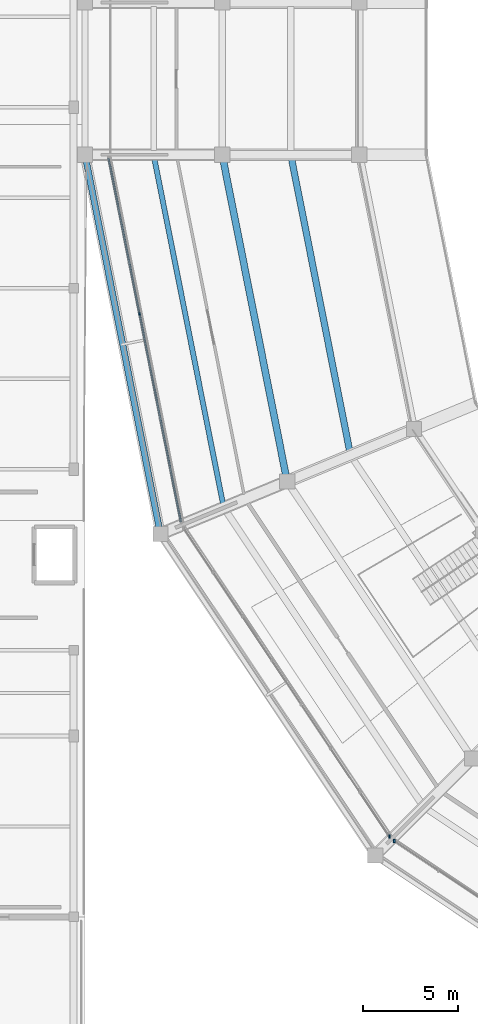
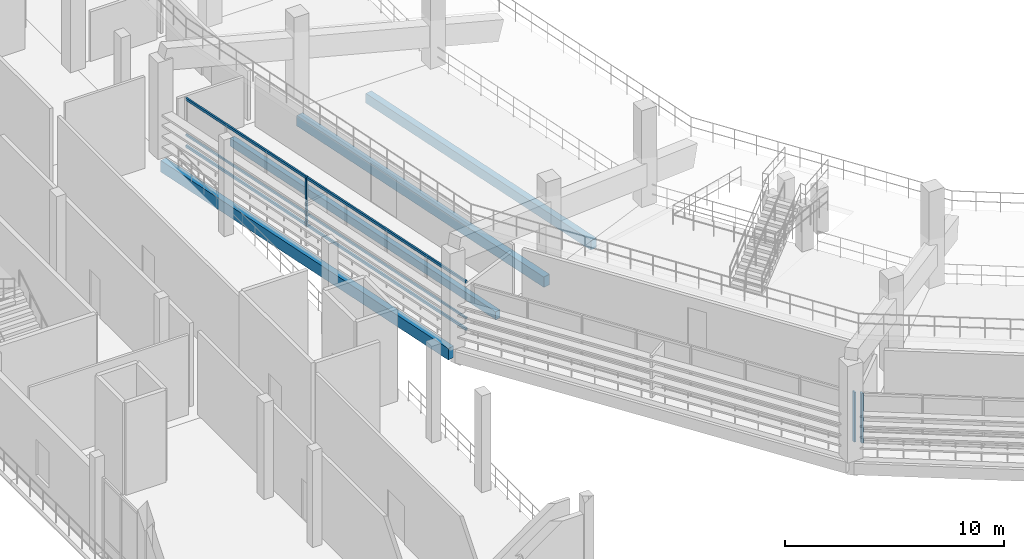
# One storey, part 10 of 96: 6 members, 4 beams, 3 elements without a shape of their own.
"""IFC4 building model written with IfcOpenShell, lengths in metres."""

import ifcopenshell
import ifcopenshell.guid

model = None  # the IFC model being written
_history = None  # IfcOwnerHistory: only IFC2X3 demands one
_inside = {}  # id of a spatial element -> (the spatial element, [elements in it])
_under = {}  # id of a project, library or spatial element -> (it, [spatial elements below it])
_declared = {}  # id of a project -> (the project, [libraries it declares])
_typed = {}  # id of a type object -> (the type object, [elements of that type])
_made_of = {}  # id of a material, layer set ... -> (it, [elements and type objects made of it])


def new_model(schema):
    """Start an empty IFC model of exactly this schema.

    Asked for "IFC4X3", IfcOpenShell would pick the latest addendum, in which some entities
    have other attributes; the version numbers below select the first issue.
    IFC2X3 requires an IfcOwnerHistory on every rooted entity: one is made here for all.
    """
    global model, _history
    if schema == "IFC4X3":
        model = ifcopenshell.file(schema_version=(4, 3, 0, 0))
    else:
        model = ifcopenshell.file(schema=schema)
    _inside.clear()
    _under.clear()
    _declared.clear()
    _typed.clear()
    _made_of.clear()
    _history = None
    if model.schema == "IFC2X3":
        org = make("IfcOrganization", Name="unknown")
        user = make(
            "IfcPersonAndOrganization",
            ThePerson=make("IfcPerson", FamilyName="unknown"),
            TheOrganization=org,
        )
        app = make(
            "IfcApplication",
            ApplicationDeveloper=org,
            Version="unknown",
            ApplicationFullName="unknown",
            ApplicationIdentifier="unknown",
        )
        _history = make(
            "IfcOwnerHistory",
            OwningUser=user,
            OwningApplication=app,
            ChangeAction="ADDED",
            CreationDate=0,
        )
    return model


def make(cls, **values):
    """One entity of the class cls with the attributes given. An attribute that is None is left unset."""
    return model.create_entity(
        cls, **{name: value for name, value in values.items() if value is not None}
    )


def rooted(cls, **values):
    """An entity with a GlobalId (a new one), such as an element, a storey or a relation."""
    return make(cls, GlobalId=ifcopenshell.guid.new(), OwnerHistory=_history, **values)


def si_unit(unit_type, name, prefix=None):
    """IfcSIUnit, for example si_unit("LENGTHUNIT", "METRE", prefix="MILLI")."""
    return make("IfcSIUnit", UnitType=unit_type, Prefix=prefix, Name=name)


def assignment(units):
    """IfcUnitAssignment: the units of a project."""
    return None if units is None else make("IfcUnitAssignment", Units=units)


def point(xyz):
    """IfcCartesianPoint."""
    return None if xyz is None else make("IfcCartesianPoint", Coordinates=xyz)


def direction(xyz):
    """IfcDirection."""
    return None if xyz is None else make("IfcDirection", DirectionRatios=xyz)


def frame(location, z_axis=None, x_axis=None):
    """IfcAxis2Placement3D, a coordinate frame: its origin and axes. An axis left out is left unset."""
    return make(
        "IfcAxis2Placement3D",
        Location=point(location),
        Axis=direction(z_axis),
        RefDirection=direction(x_axis),
    )


def frame_2d(location, x_axis=None):
    """IfcAxis2Placement2D, a coordinate frame in the plane: its origin and x axis."""
    return make(
        "IfcAxis2Placement2D", Location=point(location), RefDirection=direction(x_axis)
    )


def origin():
    """The frame at (0, 0, 0) with its axes left unset."""
    return frame((0.0, 0.0, 0.0))


def origin_2d():
    """The frame at (0, 0) in the plane with its x axis left unset."""
    return frame_2d((0.0, 0.0))


def place(relative_to, where):
    """IfcLocalPlacement: puts the frame where relative to a parent placement (None: the world)."""
    return make(
        "IfcLocalPlacement", PlacementRelTo=relative_to, RelativePlacement=where
    )


def context(
    kind, dimensions, precision=None, world=None, true_north=None, identifier=None
):
    """IfcGeometricRepresentationContext, for example the 3D "Model" context."""
    return make(
        "IfcGeometricRepresentationContext",
        ContextIdentifier=identifier,
        ContextType=kind,
        CoordinateSpaceDimension=dimensions,
        Precision=precision,
        WorldCoordinateSystem=world,
        TrueNorth=true_north,
    )


def subcontext(parent, identifier, kind, view, scale=None):
    """IfcGeometricRepresentationSubContext, for example "Body" below "Model"."""
    return make(
        "IfcGeometricRepresentationSubContext",
        ContextIdentifier=identifier,
        ContextType=kind,
        ParentContext=parent,
        TargetScale=scale,
        TargetView=view,
    )


def project(units=None, contexts=None):
    """IfcProject with its units and contexts."""
    return rooted(
        "IfcProject",
        Name="project",
        RepresentationContexts=contexts,
        UnitsInContext=assignment(units),
    )


def spatial(cls, under=None, at=None, **own):
    """A site, building, storey or space (cls), placed at a placement, below another one or the project."""
    s = rooted(cls, ObjectPlacement=at, **own)
    if under is not None:
        _under.setdefault(under.id(), (under, []))[1].append(s)
    return s


def profile(cls, at=None, kind="AREA", **sizes):
    """A parametric profile (cls). Its sizes go by their IFC names, for example OverallWidth=200.0."""
    return make(cls, ProfileType=kind, Position=at, **sizes)


def rectangle(**sizes):
    """IfcRectangleProfileDef."""
    return profile("IfcRectangleProfileDef", **sizes)


def extrude(swept, where, along, depth):
    """IfcExtrudedAreaSolid: the profile swept, set in the frame where, extruded along a direction by depth."""
    return make(
        "IfcExtrudedAreaSolid",
        SweptArea=swept,
        Position=where,
        ExtrudedDirection=direction(along),
        Depth=depth,
    )


def shape(context_of_items, identifier, shape_type, items):
    """IfcShapeRepresentation: the items that make up one representation, for example the "Body"."""
    return make(
        "IfcShapeRepresentation",
        ContextOfItems=context_of_items,
        RepresentationIdentifier=identifier,
        RepresentationType=shape_type,
        Items=items,
    )


def material(Name=None, Category=None):
    """IfcMaterial."""
    return make("IfcMaterial", Name=Name, Category=Category)


def material_profile(
    of_material, cross_section, Name=None, Category=None, Priority=None
):
    """IfcMaterialProfile: a cross section and its material."""
    return make(
        "IfcMaterialProfile",
        Name=Name,
        Material=of_material,
        Profile=cross_section,
        Priority=Priority,
        Category=Category,
    )


def profile_set(profiles, Name=None, composite=None):
    """IfcMaterialProfileSet."""
    return make(
        "IfcMaterialProfileSet",
        Name=Name,
        MaterialProfiles=profiles,
        CompositeProfile=composite,
    )


def made_of(thing, what):
    """Note that an element or type object is made of a material, layer set ...; save() writes the relation."""
    if what is not None:
        _made_of.setdefault(what.id(), (what, []))[1].append(thing)
    return thing


def type_object(cls, material=None, **own):
    """A type object (cls), such as IfcWallType, which elements share."""
    return made_of(rooted(cls, **own), material)


def element(
    cls,
    number,
    at=None,
    inside=None,
    cuts=None,
    type_object=None,
    material=None,
    context=None,
    identifier="Body",
    shape_type=None,
    held_by="IfcProductDefinitionShape",
    body=None,
    shapes=None,
    **own,
):
    """One element of the class cls, such as IfcWall. Its Tag is "e" and its number.

    at: its placement. inside: the storey or other place that contains it. cuts: it is an
    opening in that element (IfcRelVoidsElement). A single representation is given by context,
    identifier, shape_type and body (its items); several are given by shapes. held_by: the class
    of the entity that holds the representations. save() writes the other relations.
    """
    e = rooted(cls, Tag="e%d" % number, ObjectPlacement=at, **own)
    if body is not None:
        shapes = [shape(context, identifier, shape_type, body)]
    if shapes is not None:
        e.Representation = make(held_by, Representations=shapes)
    if inside is not None:
        _inside.setdefault(inside.id(), (inside, []))[1].append(e)
    if cuts is not None:
        rooted(
            "IfcRelVoidsElement", RelatingBuildingElement=cuts, RelatedOpeningElement=e
        )
    if type_object is not None:
        _typed.setdefault(type_object.id(), (type_object, []))[1].append(e)
    return made_of(e, material)


def aggregate(whole, parts):
    """IfcRelAggregates: a whole, such as a stair, and the parts it consists of."""
    return rooted("IfcRelAggregates", RelatingObject=whole, RelatedObjects=parts)


def save(model, path):
    """Write the relations noted so far, then the file.

    IfcRelAggregates (storeys below a building ...), IfcRelContainedInSpatialStructure (elements
    in a storey), IfcRelDefinesByType, IfcRelAssociatesMaterial and IfcRelDeclares: one each for
    every whole, place, type object, material and project.
    """
    for whole, parts in _under.values():
        aggregate(whole, parts)
    for where, things in _inside.values():
        rooted(
            "IfcRelContainedInSpatialStructure",
            RelatedElements=things,
            RelatingStructure=where,
        )
    for kind, things in _typed.values():
        rooted("IfcRelDefinesByType", RelatedObjects=things, RelatingType=kind)
    for what, things in _made_of.values():
        rooted("IfcRelAssociatesMaterial", RelatedObjects=things, RelatingMaterial=what)
    for by, libraries in _declared.values():
        rooted("IfcRelDeclares", RelatingContext=by, RelatedDefinitions=libraries)
    model.write(path)


model = new_model("IFC4")

# Units and contexts
model_context = context("Model", 3, precision=1e-05, world=origin(), true_north=direction((0.0, 1.0)))
body_context = subcontext(model_context, "Body", "Model", "MODEL_VIEW")
ifc_project = project(units=[si_unit("LENGTHUNIT", "METRE"), si_unit("AREAUNIT", "SQUARE_METRE"), si_unit("VOLUMEUNIT", "CUBIC_METRE"), si_unit("PLANEANGLEUNIT", "RADIAN"), si_unit("MASSUNIT", "GRAM", prefix="KILO")], contexts=[model_context])

# Site, building, storey
site_placement = place(None, origin())
site = spatial("IfcSite", under=ifc_project, at=site_placement, CompositionType="ELEMENT")
building_placement = place(site_placement, origin())
building = spatial("IfcBuilding", under=site, at=building_placement, Name="Candeia Ridge Stadium", CompositionType="ELEMENT")
storey_placement = place(building_placement, frame((0.0, 0.0, 21.60009765625)))
storey = spatial("IfcBuildingStorey", under=building, at=storey_placement, Name="L04", CompositionType="ELEMENT", Elevation=21.60009765625)

# Curtain wall, member
ifc_material_1 = material(Name="Aluminium Anodized Warm Bronze", Category="aluminium")
curtain_wall_type = type_object("IfcCurtainWallType", Name="Concourse Recessed Unitised Curtain Wall", PredefinedType="NOTDEFINED", material=ifc_material_1)
curtain_wall_1_placement = place(storey_placement, origin())
curtain_wall_1 = element("IfcCurtainWall", 1, at=curtain_wall_1_placement, inside=storey, type_object=curtain_wall_type, Name="Unitised curtain wall CW-BWL-L04-15", PredefinedType="NOTDEFINED")
ifc_material_profile_1 = material_profile(ifc_material_1, rectangle(XDim=0.090087890625, YDim=0.179931640625, at=origin_2d()), Name="CWM-90x180", Category="aluminium")
ifc_profile_set_1 = profile_set([ifc_material_profile_1], Name="Aluminium Anodized Warm Bronze")
member_type_1 = type_object("IfcMemberType", Name="Curtain Wall Primary Mullion 90x180", PredefinedType="MULLION", material=ifc_profile_set_1)
member_1_placement = place(storey_placement, frame((34.97900390625, 35.228515625, 0.0), z_axis=(0.0, 0.0, 1.0), x_axis=(1.0, 0.0, 0.0)))
member_1 = element("IfcMember", 2, at=member_1_placement, type_object=member_type_1, Name="Curtain wall mullion CW-BWL-L04-15-M7", PredefinedType="MULLION", context=body_context, shape_type="SweptSolid", body=[
    extrude(rectangle(XDim=0.090087890625, YDim=0.179931640625, at=origin_2d()), origin(), (0.0, 0.0, 1.0), 2.772216796875),
])
aggregate(curtain_wall_1, [member_1])

curtain_wall_2_placement = place(storey_placement, origin())
curtain_wall_2 = element("IfcCurtainWall", 3, at=curtain_wall_2_placement, inside=storey, type_object=curtain_wall_type, Name="Unitised curtain wall CW-BWL-L04-16", PredefinedType="NOTDEFINED")
member_2_placement = place(storey_placement, frame((35.228515625, 34.97900390625, 0.0), z_axis=(0.0, 0.0, 1.0), x_axis=(1.0, 0.0, 0.0)))
member_2 = element("IfcMember", 4, at=member_2_placement, type_object=member_type_1, Name="Curtain wall mullion CW-BWL-L04-16-M0", PredefinedType="MULLION", context=body_context, shape_type="SweptSolid", body=[
    extrude(rectangle(XDim=0.090087890625, YDim=0.179931640625, at=origin_2d()), origin(), (0.0, 0.0, 1.0), 2.772216796875),
])
aggregate(curtain_wall_2, [member_2])

# Curtain wall, members
curtain_wall_3_placement = place(storey_placement, origin())
curtain_wall_3 = element("IfcCurtainWall", 5, at=curtain_wall_3_placement, inside=storey, type_object=curtain_wall_type, Name="Unitised curtain wall CW-BWL-L04-14", PredefinedType="NOTDEFINED")
ifc_material_profile_2 = material_profile(ifc_material_1, rectangle(XDim=0.074951171875, YDim=0.14990234375, at=origin_2d()), Name="CWM-75x150", Category="aluminium")
ifc_profile_set_2 = profile_set([ifc_material_profile_2], Name="Aluminium Anodized Warm Bronze")
member_type_2 = type_object("IfcMemberType", Name="Curtain Wall Secondary Mullion 75x150", PredefinedType="MULLION", material=ifc_profile_set_2)
member_3_placement = place(storey_placement, frame((21.8623046875, 62.643310546875, 0.0), z_axis=(0.0, 0.0, 1.0), x_axis=(1.0, 0.0, 0.0)))
member_3 = element("IfcMember", 6, at=member_3_placement, type_object=member_type_2, Name="Curtain wall mullion CW-BWL-L04-14-M3", PredefinedType="MULLION", context=body_context, shape_type="SweptSolid", body=[
    extrude(rectangle(XDim=0.074951171875, YDim=0.14990234375, at=origin_2d()), origin(), (0.0, 0.0, 1.0), 2.772216796875),
])
ifc_material_profile_3 = material_profile(ifc_material_1, rectangle(XDim=0.074951171875, YDim=0.110107421875, at=origin_2d()), Name="CWT-75x110", Category="aluminium")
ifc_profile_set_3 = profile_set([ifc_material_profile_3], Name="Aluminium Anodized Warm Bronze")
member_type_3 = type_object("IfcMemberType", Name="Curtain Wall Secondary Transom 75x110", PredefinedType="USERDEFINED", material=ifc_profile_set_3)
member_4_placement = place(storey_placement, frame((20.235107421875, 70.823486328125, 0.693115234375), z_axis=(0.195085896803, -0.980786160623, 0.0), x_axis=(0.980786160623, 0.195085896803, 0.0)))
member_4 = element("IfcMember", 7, at=member_4_placement, type_object=member_type_3, Name="Curtain wall transom CW-BWL-L04-14-T1", ObjectType="TRANSOM", PredefinedType="USERDEFINED", context=body_context, shape_type="SweptSolid", body=[
    extrude(rectangle(XDim=0.074951171875, YDim=0.110107421875, at=origin_2d()), origin(), (0.0, 0.0, 1.0), 19.46142578125),
])
ifc_material_profile_4 = material_profile(ifc_material_1, rectangle(XDim=0.090087890625, YDim=0.139892578125, at=origin_2d()), Name="CWT-90x140", Category="aluminium")
ifc_profile_set_4 = profile_set([ifc_material_profile_4], Name="Aluminium Anodized Warm Bronze")
member_type_4 = type_object("IfcMemberType", Name="Curtain Wall Transom 90x140", PredefinedType="USERDEFINED", material=ifc_profile_set_4)
member_5_placement = place(storey_placement, frame((20.235107421875, 70.823486328125, 0.06982421875), z_axis=(0.195085896803, -0.980786160623, 0.0), x_axis=(0.980786160623, 0.195085896803, 0.0)))
member_5 = element("IfcMember", 8, at=member_5_placement, type_object=member_type_4, Name="Curtain wall transom CW-BWL-L04-14-T0", ObjectType="TRANSOM", PredefinedType="USERDEFINED", context=body_context, shape_type="SweptSolid", body=[
    extrude(rectangle(XDim=0.090087890625, YDim=0.139892578125, at=origin_2d()), origin(), (0.0, 0.0, 1.0), 19.46142578125),
])
member_6_placement = place(storey_placement, frame((20.235107421875, 70.823486328125, 2.7021484375), z_axis=(0.195085896803, -0.980786160623, 0.0), x_axis=(0.980786160623, 0.195085896803, 0.0)))
member_6 = element("IfcMember", 9, at=member_6_placement, type_object=member_type_4, Name="Curtain wall transom CW-BWL-L04-14-T2", ObjectType="TRANSOM", PredefinedType="USERDEFINED", context=body_context, shape_type="SweptSolid", body=[
    extrude(rectangle(XDim=0.090087890625, YDim=0.139892578125, at=origin_2d()), origin(), (0.0, 0.0, 1.0), 19.46142578125),
])
aggregate(curtain_wall_3, [member_3, member_5, member_4, member_6])

# Beams
ifc_material_2 = material(Name="Concrete C40/50", Category="concrete")
ifc_material_profile_5 = material_profile(ifc_material_2, rectangle(XDim=0.27001953125, YDim=0.43994140625, at=origin_2d()), Name="RC270x440", Category="concrete")
ifc_profile_set_5 = profile_set([ifc_material_profile_5], Name="Concrete C40/50")
beam_type_1 = type_object("IfcBeamType", Name="Floor Joist RC270x440", PredefinedType="JOIST", material=ifc_profile_set_5)
beam_1_placement = place(storey_placement, frame((22.643310546875, 70.7822265625, -0.47998046875), z_axis=(0.195092537954, -0.980784839623, 0.0), x_axis=(0.980784839623, 0.195092537954, 0.0)))
element("IfcBeam", 10, at=beam_1_placement, inside=storey, type_object=beam_type_1, Name="Concourse secondary joist BM-L04-0862", PredefinedType="JOIST", context=body_context, shape_type="SweptSolid", body=[
    extrude(rectangle(XDim=0.27001953125, YDim=0.43994140625, at=origin_2d()), origin(), (0.0, 0.0, 1.0), 18.440673828125),
])
ifc_material_profile_6 = material_profile(ifc_material_2, rectangle(XDim=0.340087890625, YDim=0.5400390625, at=origin_2d()), Name="RC340x540", Category="concrete")
ifc_profile_set_6 = profile_set([ifc_material_profile_6], Name="Concrete C40/50")
beam_type_2 = type_object("IfcBeamType", Name="Floor Joist RC340x540", PredefinedType="JOIST", material=ifc_profile_set_6)
beam_2_placement = place(storey_placement, frame((29.84326171875, 70.7822265625, -0.530029296875), z_axis=(0.195091809076, -0.980784984607, 0.0), x_axis=(0.980784984607, 0.195091809076, 0.0)))
element("IfcBeam", 11, at=beam_2_placement, inside=storey, type_object=beam_type_2, Name="Concourse secondary joist BM-L04-0861", PredefinedType="JOIST", context=body_context, shape_type="SweptSolid", body=[
    extrude(rectangle(XDim=0.340087890625, YDim=0.5400390625, at=origin_2d()), origin(), (0.0, 0.0, 1.0), 15.63134765625),
])
ifc_material_profile_7 = material_profile(ifc_material_2, rectangle(XDim=0.360107421875, YDim=0.580078125, at=origin_2d()), Name="RC360x580", Category="concrete")
ifc_profile_set_7 = profile_set([ifc_material_profile_7], Name="Concrete C40/50")
beam_type_3 = type_object("IfcBeamType", Name="Frame Girder RC360x580", PredefinedType="BEAM", material=ifc_profile_set_7)
beam_3_placement = place(storey_placement, frame((26.231201171875, 70.843017578125, -0.550048828125), z_axis=(0.195098234154, -0.980783706548, 0.0), x_axis=(0.980783706548, 0.195098234154, 0.0)))
element("IfcBeam", 12, at=beam_3_placement, inside=storey, type_object=beam_type_3, Name="Concourse spine girder BM-L04-0859", PredefinedType="BEAM", context=body_context, shape_type="SweptSolid", body=[
    extrude(rectangle(XDim=0.360107421875, YDim=0.580078125, at=origin_2d()), origin(), (0.0, 0.0, 1.0), 17.16015625),
])
ifc_material_profile_8 = material_profile(ifc_material_2, rectangle(XDim=0.330078125, YDim=0.639892578125, at=origin_2d()), Name="RC330x640", Category="concrete")
ifc_profile_set_8 = profile_set([ifc_material_profile_8], Name="Concrete C40/50")
beam_type_4 = type_object("IfcBeamType", Name="Spandrel Beam RC330x640", PredefinedType="SPANDREL", material=ifc_profile_set_8)
beam_4_placement = place(storey_placement, frame((19.03125, 70.843017578125, -0.580078125), z_axis=(0.195086242929, -0.980786091775, 0.0), x_axis=(0.980786091775, 0.195086242929, 0.0)))
element("IfcBeam", 13, at=beam_4_placement, inside=storey, type_object=beam_type_4, Name="Bowl perimeter spandrel BM-L04-0860", PredefinedType="SPANDREL", context=body_context, shape_type="SweptSolid", body=[
    extrude(rectangle(XDim=0.330078125, YDim=0.639892578125, at=origin_2d()), origin(), (0.0, 0.0, 1.0), 19.969482421875),
])

save(model, "model.ifc")
